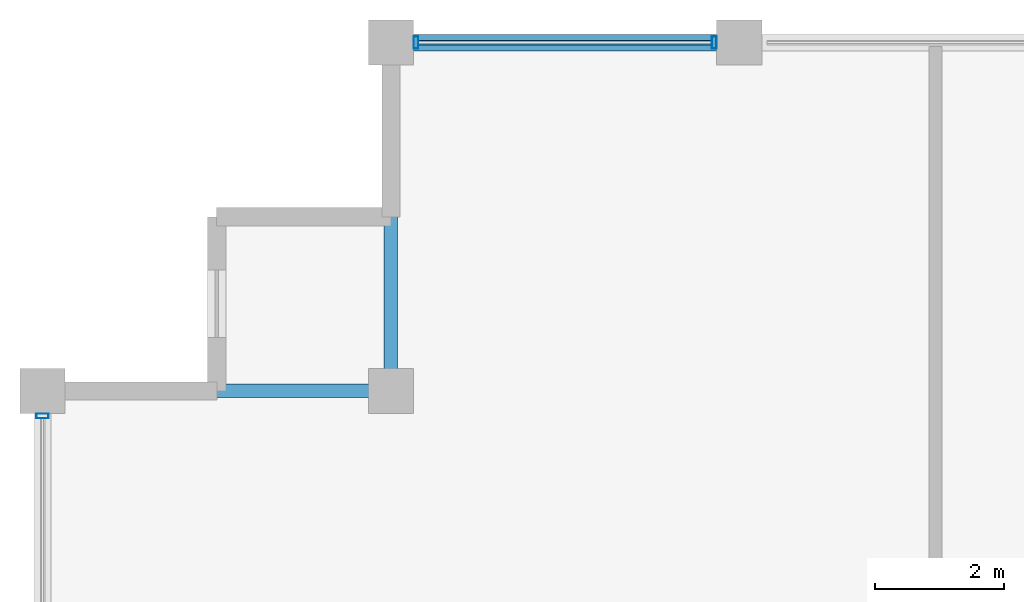
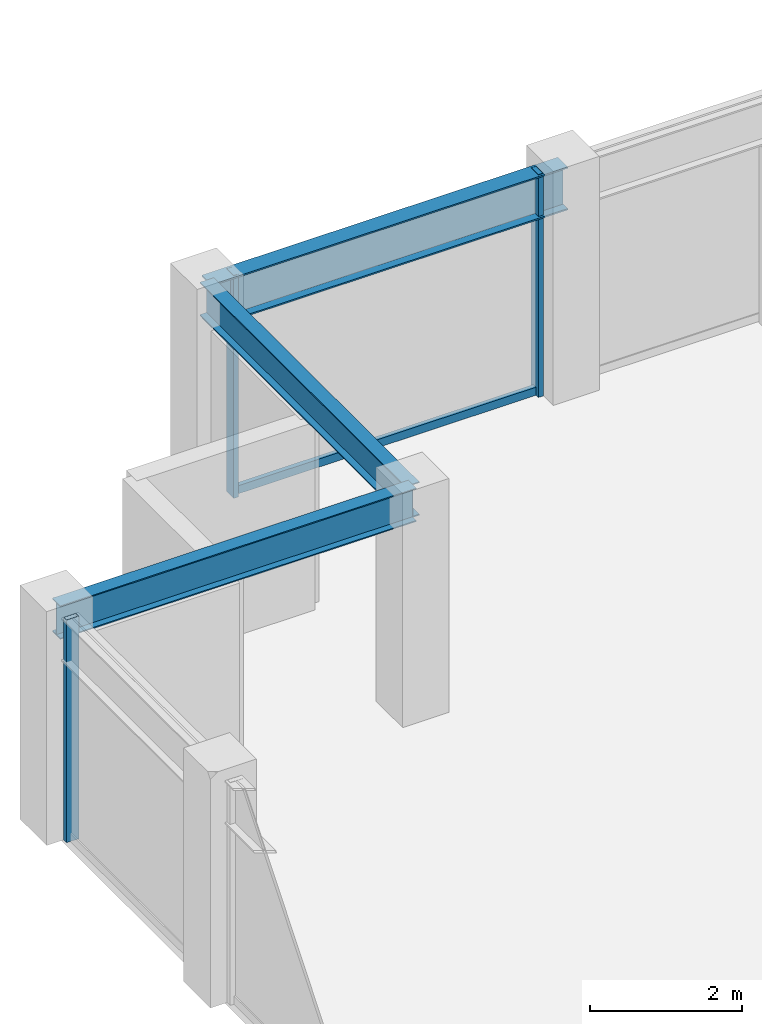
# One storey, part 16 of 31: 4 members, 3 beams, 2 elements without a shape of their own.
"""IFC4 building model written with IfcOpenShell, lengths in metres."""

from ifc_helpers import new_model, si_unit, direction, frame, origin, origin_2d, place, context, subcontext, project, spatial, hollow_rectangle, i_section, extrude, material, layer, layer_set, material_profile, profile_set, type_object, element, aggregate, save


model = new_model("IFC4")

# Units and contexts
model_context = context("Model", 3, precision=1e-05, world=origin(), true_north=direction((0.0, 1.0)))
body_context = subcontext(model_context, "Body", "Model", "MODEL_VIEW")
ifc_project = project(units=[si_unit("LENGTHUNIT", "METRE"), si_unit("AREAUNIT", "SQUARE_METRE"), si_unit("VOLUMEUNIT", "CUBIC_METRE"), si_unit("PLANEANGLEUNIT", "RADIAN"), si_unit("MASSUNIT", "GRAM", prefix="KILO")], contexts=[model_context])

# Site, building, storey
site_placement = place(None, origin())
site = spatial("IfcSite", under=ifc_project, at=site_placement, CompositionType="ELEMENT")
building_placement = place(site_placement, origin())
building = spatial("IfcBuilding", under=site, at=building_placement, Name="Surkhivell Harbour Commons", CompositionType="ELEMENT")
storey_placement = place(building_placement, frame((0.0, 0.0, 285.0)))
storey = spatial("IfcBuildingStorey", under=building, at=storey_placement, Name="L74", CompositionType="ELEMENT", Elevation=285.0)

# Beams
ifc_material_1 = material(Name="Steel S355", Category="steel")
ifc_material_profile_1 = material_profile(ifc_material_1, i_section(OverallWidth=0.2099609375, OverallDepth=0.537109375, WebThickness=0.0107421875, FlangeThickness=0.017333984375, at=origin_2d()), Name="UB533x210x101")
ifc_profile_set_1 = profile_set([ifc_material_profile_1], Name="Steel S355")
beam_type_1 = type_object("IfcBeamType", Name="BM-GRD-533B", PredefinedType="BEAM", material=ifc_profile_set_1)
for number, where, z_axis, x_axis, name in (
    (1, (-27.0, 20.5, 3.301513671875), (1.0, 0.0, 0.0), (0.0, 1.0, 0.0), "L74 Floor Girder (-27.0,20.5)"),
    (2, (-21.60009765625, 20.5, 3.301513671875), (0.0, 1.0, 0.0), (-1.0, 0.0, 0.0), "L74 Floor Girder (-21.6,20.5)"),
):
    element("IfcBeam", number, at=place(storey_placement, frame(where, z_axis=z_axis, x_axis=x_axis)), inside=storey, type_object=beam_type_1, Name=name, PredefinedType="BEAM", context=body_context, shape_type="SweptSolid", body=[
        extrude(i_section(OverallWidth=0.2099609375, OverallDepth=0.537109375, WebThickness=0.0107421875, FlangeThickness=0.017333984375, at=origin_2d()), origin(), (0.0, 0.0, 1.0), 5.39990234375),
    ])
ifc_material_profile_2 = material_profile(ifc_material_1, i_section(OverallWidth=0.256103515625, OverallDepth=0.693115234375, WebThickness=0.014404296875, FlangeThickness=0.023681640625, at=origin_2d()), Name="UB686x254x170")
ifc_profile_set_2 = profile_set([ifc_material_profile_2], Name="Steel S355")
beam_type_2 = type_object("IfcBeamType", Name="BM-SPN-686", PredefinedType="SPANDREL", material=ifc_profile_set_2)
beam_placement = place(storey_placement, frame((-21.60009765625, 25.89990234375, 3.223388671875), z_axis=(1.0, 0.0, 0.0), x_axis=(0.0, 1.0, 0.0)))
element("IfcBeam", 3, at=beam_placement, inside=storey, type_object=beam_type_2, Name="L74 Tube Spandrel (-21.6,25.9)", PredefinedType="SPANDREL", context=body_context, shape_type="SweptSolid", body=[
    extrude(i_section(OverallWidth=0.256103515625, OverallDepth=0.693115234375, WebThickness=0.014404296875, FlangeThickness=0.023681640625, at=origin_2d()), origin(), (0.0, 0.0, 1.0), 5.400146484375),
])

# Curtain wall, members
ifc_material_2 = material(Name="Anodised pale-metal aluminium and insulated glazing", Category="aluminium")
ifc_layer = layer(ifc_material_2, 0.175048828125)
ifc_layer_set = layer_set([ifc_layer], Name="Anodised pale-metal aluminium and insulated glazing")
curtain_wall_type = type_object("IfcCurtainWallType", Name="CW-SYS-Z4", PredefinedType="NOTDEFINED", material=ifc_layer_set)
curtain_wall_1_placement = place(storey_placement, origin())
curtain_wall_1 = element("IfcCurtainWall", 4, at=curtain_wall_1_placement, inside=storey, type_object=curtain_wall_type, Name="L74 Curtain Wall CW-L74-E07S2", PredefinedType="NOTDEFINED")
ifc_material_3 = material(Name="Anodised pale-metal aluminium alloy 6063-T6", Category="aluminium")
ifc_material_profile_3 = material_profile(ifc_material_3, hollow_rectangle(XDim=0.074951171875, YDim=0.18994140625, WallThickness=0.00390625, at=origin_2d()), Name="ALU-MULL-75x190")
ifc_profile_set_3 = profile_set([ifc_material_profile_3], Name="Anodised pale-metal aluminium alloy 6063-T6")
member_type_1 = type_object("IfcMemberType", Name="CWM-190", PredefinedType="MULLION", material=ifc_profile_set_3)
member_1_placement = place(storey_placement, frame((-16.589599609375, 25.89990234375, 0.0), z_axis=(0.0, 0.0, 1.0), x_axis=(-1.0, 0.0, 0.0)))
member_1 = element("IfcMember", 5, at=member_1_placement, type_object=member_type_1, Name="CW-Z4 mullion 3", PredefinedType="MULLION", context=body_context, shape_type="SweptSolid", body=[
    extrude(hollow_rectangle(XDim=0.074951171875, YDim=0.18994140625, WallThickness=0.00390625, at=origin_2d()), origin(), (0.0, 0.0, 1.0), 3.570068359375),
])
member_2_placement = place(storey_placement, frame((-21.21044921875, 25.89990234375, 0.0), z_axis=(0.0, 0.0, 1.0), x_axis=(-1.0, 0.0, 0.0)))
member_2 = element("IfcMember", 6, at=member_2_placement, type_object=member_type_1, Name="CW-Z4 mullion 4", PredefinedType="MULLION", context=body_context, shape_type="SweptSolid", body=[
    extrude(hollow_rectangle(XDim=0.074951171875, YDim=0.18994140625, WallThickness=0.00390625, at=origin_2d()), origin(), (0.0, 0.0, 1.0), 3.570068359375),
])

# Curtain wall, member
curtain_wall_2_placement = place(storey_placement, origin())
curtain_wall_2 = element("IfcCurtainWall", 7, at=curtain_wall_2_placement, inside=storey, type_object=curtain_wall_type, Name="L74 Curtain Wall CW-L74-E12S1", PredefinedType="NOTDEFINED")
member_3_placement = place(storey_placement, frame((-27.0, 20.110595703125, 0.0), z_axis=(0.0, 0.0, 1.0), x_axis=(0.0, -1.0, 0.0)))
member_3 = element("IfcMember", 8, at=member_3_placement, type_object=member_type_1, Name="CW-Z4 mullion 1", PredefinedType="MULLION", context=body_context, shape_type="SweptSolid", body=[
    extrude(hollow_rectangle(XDim=0.074951171875, YDim=0.18994140625, WallThickness=0.00390625, at=origin_2d()), origin(), (0.0, 0.0, 1.0), 3.570068359375),
])
aggregate(curtain_wall_2, [member_3])

# Member
ifc_material_4 = material(Name="Champagne anodised aluminium alloy 6063-T6", Category="aluminium")
ifc_material_profile_4 = material_profile(ifc_material_4, hollow_rectangle(XDim=0.070068359375, YDim=0.1298828125, WallThickness=0.00341796875, at=origin_2d()), Name="ALU-TRAN-70x130")
ifc_profile_set_4 = profile_set([ifc_material_profile_4], Name="Champagne anodised aluminium alloy 6063-T6")
member_type_2 = type_object("IfcMemberType", Name="CWT-130", PredefinedType="USERDEFINED", material=ifc_profile_set_4)
member_4_placement = place(storey_placement, frame((-16.626953125, 25.89990234375, 0.06494140625), z_axis=(-1.0, 0.0, 0.0), x_axis=(0.0, -1.0, 0.0)))
member_4 = element("IfcMember", 9, at=member_4_placement, type_object=member_type_2, Name="CW-Z4 transom 3.1", ObjectType="TRANSOM", PredefinedType="USERDEFINED", context=body_context, shape_type="SweptSolid", body=[
    extrude(hollow_rectangle(XDim=0.070068359375, YDim=0.1298828125, WallThickness=0.00341796875, at=origin_2d()), origin(), (0.0, 0.0, 1.0), 4.546142578125),
])

aggregate(curtain_wall_1, [member_1, member_2, member_4])

save(model, "model.ifc")
